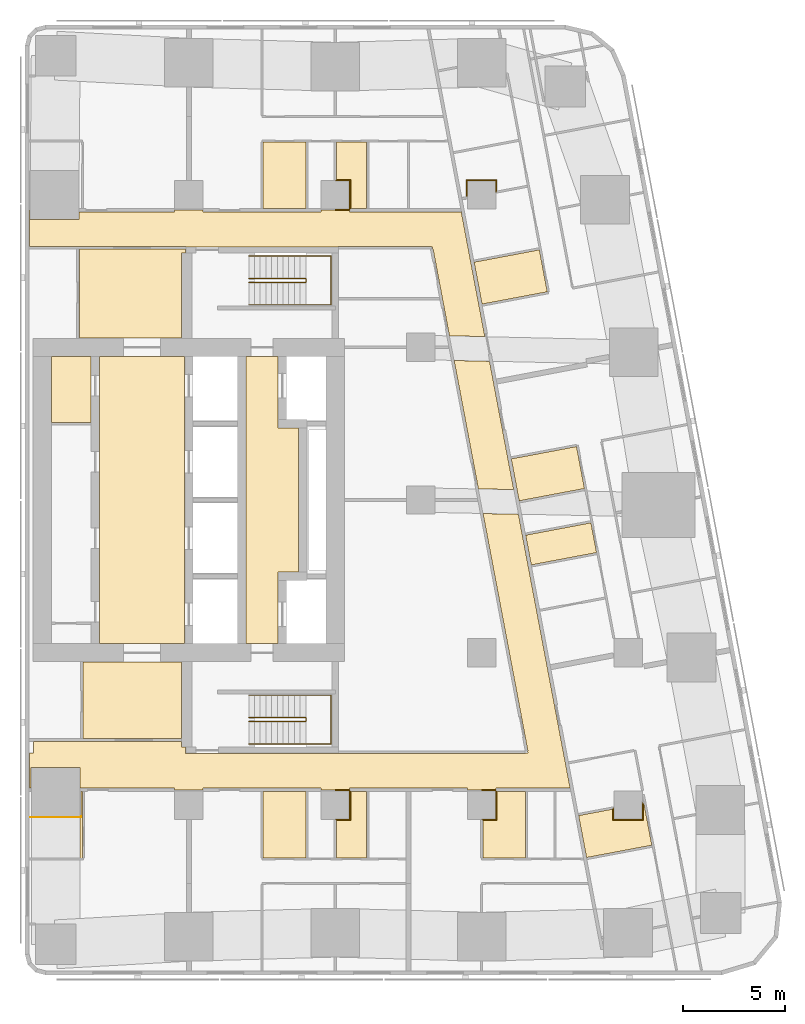
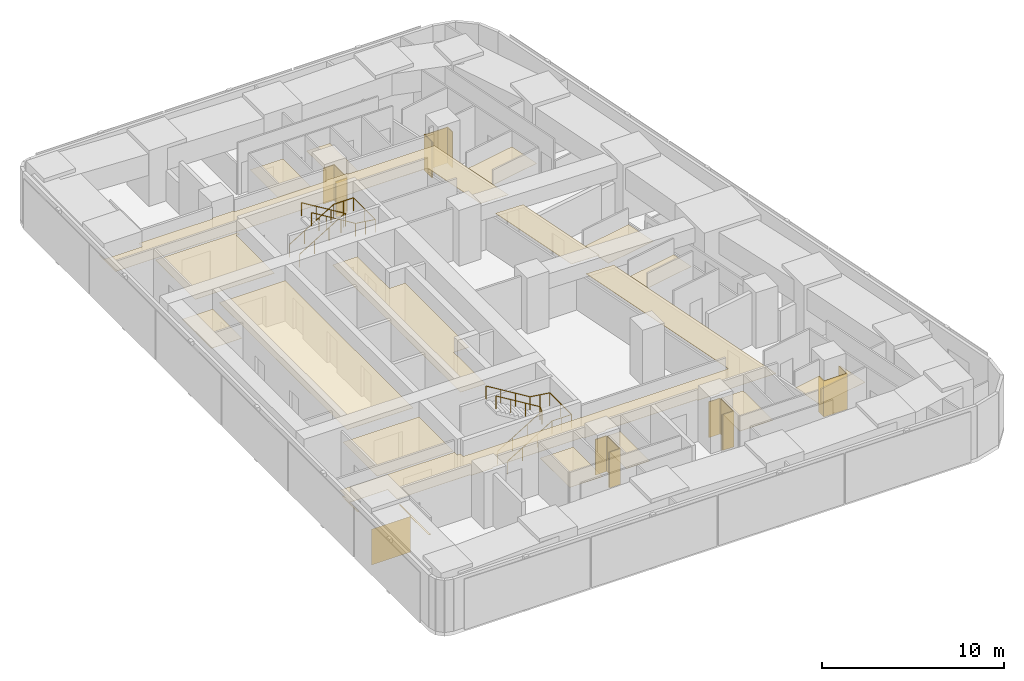
# One storey, part 10 of 10: 24 coverings, 4 railings.
"""IFC4 building model written with IfcOpenShell, lengths in metres."""

from ifc_helpers import new_model, si_unit, direction, frame, origin, origin_2d, place, context, subcontext, project, spatial, polyline, circle, outline, extrude, material, layer, layer_set, type_object, element, save


model = new_model("IFC4")

# Units and contexts
model_context = context("Model", 3, precision=1e-05, world=origin(), true_north=direction((0.0, 1.0)))
body_context = subcontext(model_context, "Body", "Model", "MODEL_VIEW")
ifc_project = project(units=[si_unit("LENGTHUNIT", "METRE"), si_unit("AREAUNIT", "SQUARE_METRE"), si_unit("VOLUMEUNIT", "CUBIC_METRE"), si_unit("PLANEANGLEUNIT", "RADIAN"), si_unit("MASSUNIT", "GRAM", prefix="KILO")], contexts=[model_context])

# Site, building, storey
site_placement = place(None, origin())
site = spatial("IfcSite", under=ifc_project, at=site_placement, CompositionType="ELEMENT")
building_placement = place(site_placement, origin())
building = spatial("IfcBuilding", under=site, at=building_placement, Name="Sheger Commons Tower", CompositionType="ELEMENT")
storey_placement = place(building_placement, frame((0.0, 0.0, 238.699951171875)))
storey = spatial("IfcBuildingStorey", under=building, at=storey_placement, Name="L61", CompositionType="ELEMENT", Elevation=238.699951171875)

# Railings
ifc_material_1 = material(Name="Steel handrail, black powder-coated", Category="steel")
railing_type = type_object("IfcRailingType", Name="HANDRAIL 900", PredefinedType="HANDRAIL", material=ifc_material_1)
railing_1_placement = place(storey_placement, frame((24.550048828125, 11.60009765625, 0.17041015625)))
element("IfcRailing", 1, at=railing_1_placement, inside=storey, type_object=railing_type, Name="Stair S1 handrail L61", PredefinedType="HANDRAIL", context=body_context, shape_type="SweptSolid", body=[
    extrude(circle(Radius=0.02392578125, at=origin_2d()), frame((0.0, 0.0, 0.8759765625), z_axis=(0.854169791009, 0.0, 0.51999420009), x_axis=(0.0, 1.0, 0.0)), (0.0, 0.0, 1.0), 3.278076171875),
    extrude(circle(Radius=0.02392578125, at=origin_2d()), frame((2.800048828125, 0.0, 2.58056640625), z_axis=(0.0, 0.761090297175, 0.648645943136), x_axis=(-1.0, 0.0, 0.0)), (0.0, 0.0, 1.0), 0.2626953125),
    extrude(circle(Radius=0.02392578125, at=origin_2d()), frame((2.800048828125, 0.199951171875, 2.7509765625), z_axis=(-0.854169791009, 0.0, 0.51999420009), x_axis=(0.0, -1.0, 0.0)), (0.0, 0.0, 1.0), 3.278076171875),
    extrude(circle(Radius=0.02099609375, at=origin_2d()), origin(), (0.0, 0.0, 1.0), 0.851806640625),
    extrude(circle(Radius=0.02099609375, at=origin_2d()), frame((0.933349609375, 0.0, 0.568115234375)), (0.0, 0.0, 1.0), 0.851806640625),
    extrude(circle(Radius=0.02099609375, at=origin_2d()), frame((1.86669921875, 0.0, 1.136474609375)), (0.0, 0.0, 1.0), 0.851806640625),
    extrude(circle(Radius=0.02099609375, at=origin_2d()), frame((2.800048828125, 0.0, 1.70458984375)), (0.0, 0.0, 1.0), 0.851806640625),
    extrude(circle(Radius=0.02099609375, at=origin_2d()), frame((2.800048828125, 0.199951171875, 1.875)), (0.0, 0.0, 1.0), 0.851806640625),
    extrude(circle(Radius=0.02099609375, at=origin_2d()), frame((1.86669921875, 0.199951171875, 2.443115234375)), (0.0, 0.0, 1.0), 0.851806640625),
    extrude(circle(Radius=0.02099609375, at=origin_2d()), frame((0.933349609375, 0.199951171875, 3.011474609375)), (0.0, 0.0, 1.0), 0.851806640625),
    extrude(circle(Radius=0.02099609375, at=origin_2d()), frame((0.0, 0.199951171875, 3.57958984375)), (0.0, 0.0, 1.0), 0.851806640625),
])
railing_2_placement = place(storey_placement, frame((24.550048828125, 10.5, 0.17041015625)))
element("IfcRailing", 2, at=railing_2_placement, inside=storey, type_object=railing_type, Name="Stair S1 handrail L61", PredefinedType="HANDRAIL", context=body_context, shape_type="SweptSolid", body=[
    extrude(circle(Radius=0.02392578125, at=origin_2d()), frame((0.0, 0.0, 0.8759765625), z_axis=(0.854169791009, 0.0, 0.51999420009), x_axis=(0.0, 1.0, 0.0)), (0.0, 0.0, 1.0), 3.278076171875),
    extrude(circle(Radius=0.02392578125, at=origin_2d()), frame((2.800048828125, 0.0, 2.58056640625), z_axis=(1.0, 0.0, 0.0), x_axis=(0.0, 1.0, 0.0)), (0.0, 0.0, 1.0), 1.25),
    extrude(circle(Radius=0.02392578125, at=origin_2d()), frame((4.050048828125, 0.0, 2.58056640625), z_axis=(0.0, 1.0, 0.0), x_axis=(-1.0, 0.0, 0.0)), (0.0, 0.0, 1.0), 2.39990234375),
    extrude(circle(Radius=0.02392578125, at=origin_2d()), frame((4.050048828125, 2.39990234375, 2.58056640625), z_axis=(-0.990834877927, 0.0, 0.135078661092), x_axis=(0.0, -1.0, 0.0)), (0.0, 0.0, 1.0), 1.261474609375),
    extrude(circle(Radius=0.02392578125, at=origin_2d()), frame((2.800048828125, 2.39990234375, 2.7509765625), z_axis=(-0.854169791009, 0.0, 0.51999420009), x_axis=(0.0, -1.0, 0.0)), (0.0, 0.0, 1.0), 3.278076171875),
    extrude(circle(Radius=0.02099609375, at=origin_2d()), origin(), (0.0, 0.0, 1.0), 0.851806640625),
    extrude(circle(Radius=0.02099609375, at=origin_2d()), frame((0.933349609375, 0.0, 0.568115234375)), (0.0, 0.0, 1.0), 0.851806640625),
    extrude(circle(Radius=0.02099609375, at=origin_2d()), frame((1.86669921875, 0.0, 1.136474609375)), (0.0, 0.0, 1.0), 0.851806640625),
    extrude(circle(Radius=0.02099609375, at=origin_2d()), frame((2.800048828125, 0.0, 1.70458984375)), (0.0, 0.0, 1.0), 0.851806640625),
    extrude(circle(Radius=0.02099609375, at=origin_2d()), frame((3.425048828125, 0.0, 1.70458984375)), (0.0, 0.0, 1.0), 0.851806640625),
    extrude(circle(Radius=0.02099609375, at=origin_2d()), frame((4.050048828125, 0.0, 1.70458984375)), (0.0, 0.0, 1.0), 0.851806640625),
    extrude(circle(Radius=0.02099609375, at=origin_2d()), frame((4.050048828125, 1.199951171875, 1.70458984375)), (0.0, 0.0, 1.0), 0.851806640625),
    extrude(circle(Radius=0.02099609375, at=origin_2d()), frame((4.050048828125, 2.39990234375, 1.70458984375)), (0.0, 0.0, 1.0), 0.851806640625),
    extrude(circle(Radius=0.02099609375, at=origin_2d()), frame((3.425048828125, 2.39990234375, 1.789794921875)), (0.0, 0.0, 1.0), 0.851806640625),
    extrude(circle(Radius=0.02099609375, at=origin_2d()), frame((2.800048828125, 2.39990234375, 1.875)), (0.0, 0.0, 1.0), 0.851806640625),
    extrude(circle(Radius=0.02099609375, at=origin_2d()), frame((1.86669921875, 2.39990234375, 2.443115234375)), (0.0, 0.0, 1.0), 0.851806640625),
    extrude(circle(Radius=0.02099609375, at=origin_2d()), frame((0.933349609375, 2.39990234375, 3.011474609375)), (0.0, 0.0, 1.0), 0.851806640625),
    extrude(circle(Radius=0.02099609375, at=origin_2d()), frame((0.0, 2.39990234375, 3.57958984375)), (0.0, 0.0, 1.0), 0.851806640625),
])
railing_3_placement = place(storey_placement, frame((24.550048828125, 33.39990234375, 0.17041015625)))
element("IfcRailing", 3, at=railing_3_placement, inside=storey, type_object=railing_type, Name="Stair S2 handrail L61", PredefinedType="HANDRAIL", context=body_context, shape_type="SweptSolid", body=[
    extrude(circle(Radius=0.02392578125, at=origin_2d()), frame((0.0, 0.0, 0.8759765625), z_axis=(0.854169791009, 0.0, 0.51999420009), x_axis=(0.0, 1.0, 0.0)), (0.0, 0.0, 1.0), 3.278076171875),
    extrude(circle(Radius=0.02392578125, at=origin_2d()), frame((2.800048828125, 0.0, 2.58056640625), z_axis=(0.0, -0.761090297175, 0.648645943136), x_axis=(1.0, 0.0, 0.0)), (0.0, 0.0, 1.0), 0.2626953125),
    extrude(circle(Radius=0.02392578125, at=origin_2d()), frame((2.800048828125, -0.199951171875, 2.7509765625), z_axis=(-0.854169791009, 0.0, 0.51999420009), x_axis=(0.0, -1.0, 0.0)), (0.0, 0.0, 1.0), 3.278076171875),
    extrude(circle(Radius=0.02099609375, at=origin_2d()), origin(), (0.0, 0.0, 1.0), 0.851806640625),
    extrude(circle(Radius=0.02099609375, at=origin_2d()), frame((0.933349609375, 0.0, 0.568115234375)), (0.0, 0.0, 1.0), 0.851806640625),
    extrude(circle(Radius=0.02099609375, at=origin_2d()), frame((1.86669921875, 0.0, 1.136474609375)), (0.0, 0.0, 1.0), 0.851806640625),
    extrude(circle(Radius=0.02099609375, at=origin_2d()), frame((2.800048828125, 0.0, 1.70458984375)), (0.0, 0.0, 1.0), 0.851806640625),
    extrude(circle(Radius=0.02099609375, at=origin_2d()), frame((2.800048828125, -0.199951171875, 1.875)), (0.0, 0.0, 1.0), 0.851806640625),
    extrude(circle(Radius=0.02099609375, at=origin_2d()), frame((1.86669921875, -0.199951171875, 2.443115234375)), (0.0, 0.0, 1.0), 0.851806640625),
    extrude(circle(Radius=0.02099609375, at=origin_2d()), frame((0.933349609375, -0.199951171875, 3.011474609375)), (0.0, 0.0, 1.0), 0.851806640625),
    extrude(circle(Radius=0.02099609375, at=origin_2d()), frame((0.0, -0.199951171875, 3.57958984375)), (0.0, 0.0, 1.0), 0.851806640625),
])
railing_4_placement = place(storey_placement, frame((24.550048828125, 34.5, 0.17041015625)))
element("IfcRailing", 4, at=railing_4_placement, inside=storey, type_object=railing_type, Name="Stair S2 handrail L61", PredefinedType="HANDRAIL", context=body_context, shape_type="SweptSolid", body=[
    extrude(circle(Radius=0.02392578125, at=origin_2d()), frame((0.0, 0.0, 0.8759765625), z_axis=(0.854169791009, 0.0, 0.51999420009), x_axis=(0.0, 1.0, 0.0)), (0.0, 0.0, 1.0), 3.278076171875),
    extrude(circle(Radius=0.02392578125, at=origin_2d()), frame((2.800048828125, 0.0, 2.58056640625), z_axis=(1.0, 0.0, 0.0), x_axis=(0.0, 1.0, 0.0)), (0.0, 0.0, 1.0), 1.25),
    extrude(circle(Radius=0.02392578125, at=origin_2d()), frame((4.050048828125, 0.0, 2.58056640625), z_axis=(0.0, -1.0, 0.0), x_axis=(1.0, 0.0, 0.0)), (0.0, 0.0, 1.0), 2.39990234375),
    extrude(circle(Radius=0.02392578125, at=origin_2d()), frame((4.050048828125, -2.39990234375, 2.58056640625), z_axis=(-0.990834877927, 0.0, 0.135078661092), x_axis=(0.0, -1.0, 0.0)), (0.0, 0.0, 1.0), 1.261474609375),
    extrude(circle(Radius=0.02392578125, at=origin_2d()), frame((2.800048828125, -2.39990234375, 2.7509765625), z_axis=(-0.854169791009, 0.0, 0.51999420009), x_axis=(0.0, -1.0, 0.0)), (0.0, 0.0, 1.0), 3.278076171875),
    extrude(circle(Radius=0.02099609375, at=origin_2d()), origin(), (0.0, 0.0, 1.0), 0.851806640625),
    extrude(circle(Radius=0.02099609375, at=origin_2d()), frame((0.933349609375, 0.0, 0.568115234375)), (0.0, 0.0, 1.0), 0.851806640625),
    extrude(circle(Radius=0.02099609375, at=origin_2d()), frame((1.86669921875, 0.0, 1.136474609375)), (0.0, 0.0, 1.0), 0.851806640625),
    extrude(circle(Radius=0.02099609375, at=origin_2d()), frame((2.800048828125, 0.0, 1.70458984375)), (0.0, 0.0, 1.0), 0.851806640625),
    extrude(circle(Radius=0.02099609375, at=origin_2d()), frame((3.425048828125, 0.0, 1.70458984375)), (0.0, 0.0, 1.0), 0.851806640625),
    extrude(circle(Radius=0.02099609375, at=origin_2d()), frame((4.050048828125, 0.0, 1.70458984375)), (0.0, 0.0, 1.0), 0.851806640625),
    extrude(circle(Radius=0.02099609375, at=origin_2d()), frame((4.050048828125, -1.199951171875, 1.70458984375)), (0.0, 0.0, 1.0), 0.851806640625),
    extrude(circle(Radius=0.02099609375, at=origin_2d()), frame((4.050048828125, -2.39990234375, 1.70458984375)), (0.0, 0.0, 1.0), 0.851806640625),
    extrude(circle(Radius=0.02099609375, at=origin_2d()), frame((3.425048828125, -2.39990234375, 1.789794921875)), (0.0, 0.0, 1.0), 0.851806640625),
    extrude(circle(Radius=0.02099609375, at=origin_2d()), frame((2.800048828125, -2.39990234375, 1.875)), (0.0, 0.0, 1.0), 0.851806640625),
    extrude(circle(Radius=0.02099609375, at=origin_2d()), frame((1.86669921875, -2.39990234375, 2.443115234375)), (0.0, 0.0, 1.0), 0.851806640625),
    extrude(circle(Radius=0.02099609375, at=origin_2d()), frame((0.933349609375, -2.39990234375, 3.011474609375)), (0.0, 0.0, 1.0), 0.851806640625),
    extrude(circle(Radius=0.02099609375, at=origin_2d()), frame((0.0, -2.39990234375, 3.57958984375)), (0.0, 0.0, 1.0), 0.851806640625),
])

# Coverings
ifc_material_2 = material(Name="Moisture-resistant gypsum plasterboard 15 mm on a suspended galvanised steel grid", Category="steel")
ifc_layer_1 = layer(ifc_material_2, 0.014892578125)
ifc_layer_set_1 = layer_set([ifc_layer_1], Name="MOISTURE-RESISTANT CEILING 15")
covering_type_1 = type_object("IfcCoveringType", Name="MOISTURE-RESISTANT CEILING 15", PredefinedType="CEILING", material=ifc_layer_set_1)
covering_1_placement = place(storey_placement, frame((0.0, 0.0, 2.400146484375)))
element("IfcCovering", 5, at=covering_1_placement, inside=storey, type_object=covering_type_1, Name="L61-01.B1 ceiling", PredefinedType="CEILING", context=body_context, shape_type="SweptSolid", body=[
    extrude(outline(polyline([(16.259033203125, 4.85009765625), (16.428955078125, 4.85009765625), (16.428955078125, 4.89501953125), (16.3740234375, 4.89501953125), (16.3740234375, 8.169921875), (16.303955078125, 8.169921875), (16.303955078125, 6.9541015625), (16.2958984375, 6.926025390625), (16.27294921875, 6.907958984375), (16.259033203125, 6.907958984375), (16.259033203125, 4.85009765625)])), origin(), (0.0, 0.0, 1.0), 0.014892578125),
])
covering_2_placement = place(storey_placement, frame((0.0, 0.0, 2.400146484375)))
element("IfcCovering", 6, at=covering_2_placement, inside=storey, type_object=covering_type_1, Name="L61-02.B1 ceiling", PredefinedType="CEILING", context=body_context, shape_type="SweptSolid", body=[
    extrude(outline(polyline([(25.2548828125, 4.905029296875), (27.35498046875, 4.905029296875), (27.35498046875, 8.169921875), (25.2548828125, 8.169921875), (25.2548828125, 4.905029296875)])), origin(), (0.0, 0.0, 1.0), 0.014892578125),
])
covering_3_placement = place(storey_placement, frame((0.0, 0.0, 2.400146484375)))
element("IfcCovering", 7, at=covering_3_placement, inside=storey, type_object=covering_type_1, Name="L61-02.B2 ceiling", PredefinedType="CEILING", context=body_context, shape_type="SweptSolid", body=[
    extrude(outline(polyline([(28.85498046875, 4.905029296875), (30.344970703125, 4.905029296875), (30.344970703125, 8.169921875), (29.5048828125, 8.169921875), (29.5048828125, 6.794921875), (28.85498046875, 6.794921875), (28.85498046875, 4.905029296875)])), origin(), (0.0, 0.0, 1.0), 0.014892578125),
])
covering_4_placement = place(storey_placement, frame((0.0, 0.0, 2.400146484375)))
element("IfcCovering", 8, at=covering_4_placement, inside=storey, type_object=covering_type_1, Name="L61-03.B1 ceiling", PredefinedType="CEILING", context=body_context, shape_type="SweptSolid", body=[
    extrude(outline(polyline([(36.054931640625, 4.905029296875), (38.155029296875, 4.905029296875), (38.155029296875, 8.169921875), (36.705078125, 8.169921875), (36.705078125, 6.794921875), (36.054931640625, 6.794921875), (36.054931640625, 4.905029296875)])), origin(), (0.0, 0.0, 1.0), 0.014892578125),
])
covering_5_placement = place(storey_placement, frame((0.0, 0.0, 2.400146484375)))
element("IfcCovering", 9, at=covering_5_placement, inside=storey, type_object=covering_type_1, Name="L61-04.B1 ceiling", PredefinedType="CEILING", context=body_context, shape_type="SweptSolid", body=[
    extrude(outline(polyline([(36.01708984375, 32.1298828125), (39.22412109375, 32.736083984375), (38.833984375, 34.800048828125), (35.626953125, 34.194091796875), (36.01708984375, 32.1298828125)])), origin(), (0.0, 0.0, 1.0), 0.014892578125),
])
covering_6_placement = place(storey_placement, frame((0.0, 0.0, 2.400146484375)))
element("IfcCovering", 10, at=covering_6_placement, inside=storey, type_object=covering_type_1, Name="L61-05.B1 ceiling", PredefinedType="CEILING", context=body_context, shape_type="SweptSolid", body=[
    extrude(outline(polyline([(37.843017578125, 22.4580078125), (41.052001953125, 23.06396484375), (40.662109375, 25.1279296875), (37.4541015625, 24.52197265625), (37.843017578125, 22.4580078125)])), origin(), (0.0, 0.0, 1.0), 0.014892578125),
])
covering_7_placement = place(storey_placement, frame((0.0, 0.0, 2.400146484375)))
element("IfcCovering", 11, at=covering_7_placement, inside=storey, type_object=covering_type_1, Name="L61-05.B2 ceiling", PredefinedType="CEILING", context=body_context, shape_type="SweptSolid", body=[
    extrude(outline(polyline([(38.43798828125, 19.30810546875), (41.64697265625, 19.9140625), (41.37109375, 21.3779296875), (38.162109375, 20.77197265625), (38.43798828125, 19.30810546875)])), origin(), (0.0, 0.0, 1.0), 0.014892578125),
])
covering_8_placement = place(storey_placement, frame((0.0, 0.0, 2.400146484375)))
element("IfcCovering", 12, at=covering_8_placement, inside=storey, type_object=covering_type_1, Name="L61-06.B1 ceiling", PredefinedType="CEILING", context=body_context, shape_type="SweptSolid", body=[
    extrude(outline(polyline([(41.156005859375, 4.9208984375), (44.364013671875, 5.527099609375), (43.97412109375, 7.591064453125), (43.9150390625, 7.580078125), (43.906982421875, 7.623046875), (43.905029296875, 7.623046875), (43.905029296875, 6.794921875), (42.4951171875, 6.794921875), (42.4951171875, 7.31201171875), (40.76611328125, 6.985107421875), (41.156005859375, 4.9208984375)])), origin(), (0.0, 0.0, 1.0), 0.014892578125),
])
covering_9_placement = place(storey_placement, frame((0.0, 0.0, 2.400146484375)))
element("IfcCovering", 13, at=covering_9_placement, inside=storey, type_object=covering_type_1, Name="L61-08.B1 ceiling", PredefinedType="CEILING", context=body_context, shape_type="SweptSolid", body=[
    extrude(outline(polyline([(25.2548828125, 36.830078125), (27.35498046875, 36.830078125), (27.35498046875, 40.094970703125), (25.2548828125, 40.094970703125), (25.2548828125, 36.830078125)])), origin(), (0.0, 0.0, 1.0), 0.014892578125),
])
covering_10_placement = place(storey_placement, frame((0.0, 0.0, 2.400146484375)))
element("IfcCovering", 14, at=covering_10_placement, inside=storey, type_object=covering_type_1, Name="L61-08.B2 ceiling", PredefinedType="CEILING", context=body_context, shape_type="SweptSolid", body=[
    extrude(outline(polyline([(29.5048828125, 36.830078125), (30.344970703125, 36.830078125), (30.344970703125, 40.094970703125), (28.85498046875, 40.094970703125), (28.85498046875, 38.205078125), (29.5048828125, 38.205078125), (29.5048828125, 36.830078125)])), origin(), (0.0, 0.0, 1.0), 0.014892578125),
])
covering_11_placement = place(storey_placement, frame((0.0, 0.0, 2.400146484375)))
element("IfcCovering", 15, at=covering_11_placement, inside=storey, type_object=covering_type_1, Name="L61-CRB2 ceiling", PredefinedType="CEILING", context=body_context, shape_type="SweptSolid", body=[
    extrude(outline(polyline([(14.85498046875, 26.31689453125), (16.794921875, 26.31689453125), (16.794921875, 29.544921875), (14.85498046875, 29.544921875), (14.85498046875, 26.31689453125)])), origin(), (0.0, 0.0, 1.0), 0.014892578125),
])
ifc_material_3 = material(Name="Gypsum plasterboard 15 mm on a suspended steel grid", Category="steel")
ifc_layer_2 = layer(ifc_material_3, 0.014892578125)
ifc_layer_set_2 = layer_set([ifc_layer_2], Name="SUSPENDED CEILING 15")
covering_type_2 = type_object("IfcCoveringType", Name="SUSPENDED CEILING 15", PredefinedType="CEILING", material=ifc_layer_set_2)
covering_12_placement = place(storey_placement, frame((0.0, 0.0, 2.699951171875)))
element("IfcCovering", 16, at=covering_12_placement, inside=storey, type_object=covering_type_2, Name="L61-CO ceiling", PredefinedType="CEILING", context=body_context, shape_type="SweptSolid", body=[
    extrude(outline(polyline([(20.904052734375, 8.25), (22.2958984375, 8.25), (22.2958984375, 8.330078125), (28.10400390625, 8.330078125), (28.10400390625, 8.25), (29.49609375, 8.25), (29.49609375, 8.330078125), (35.303955078125, 8.330078125), (35.303955078125, 8.25), (36.696044921875, 8.25), (36.696044921875, 8.330078125), (40.34912109375, 8.330078125), (37.804931640625, 21.798095703125), (36.06591796875, 21.8330078125), (38.26904296875, 10.1708984375), (38.251953125, 10.1669921875), (38.27392578125, 10.050048828125), (38.14306640625, 10.050048828125), (38.14306640625, 10.031982421875), (28.945068359375, 10.031982421875), (28.945068359375, 10.044921875), (21.445068359375, 10.044921875), (21.445068359375, 10.344970703125), (21.2451171875, 10.344970703125), (21.2451171875, 10.632080078125), (13.9599609375, 10.632080078125), (13.9599609375, 10.050048828125), (13.7548828125, 10.050048828125), (13.7548828125, 8.330078125), (13.84912109375, 8.330078125), (13.84912109375, 9.35888671875), (16.259033203125, 9.35888671875), (16.259033203125, 8.330078125), (20.904052734375, 8.330078125), (20.904052734375, 8.25)])), origin(), (0.0, 0.0, 1.0), 0.01513671875),
])
covering_13_placement = place(storey_placement, frame((0.0, 0.0, 2.699951171875)))
element("IfcCovering", 17, at=covering_13_placement, inside=storey, type_object=covering_type_2, Name="L61-CO ceiling", PredefinedType="CEILING", context=body_context, shape_type="SweptSolid", body=[
    extrude(outline(polyline([(37.575927734375, 23.011962890625), (36.385009765625, 29.318115234375), (34.64501953125, 29.35791015625), (35.8369140625, 23.048095703125), (37.575927734375, 23.011962890625)])), origin(), (0.0, 0.0, 1.0), 0.01513671875),
])
covering_14_placement = place(storey_placement, frame((0.0, 0.0, 2.699951171875)))
element("IfcCovering", 18, at=covering_14_placement, inside=storey, type_object=covering_type_2, Name="L61-CO ceiling", PredefinedType="CEILING", context=body_context, shape_type="SweptSolid", body=[
    extrude(outline(polyline([(36.155029296875, 30.533935546875), (34.98095703125, 36.75), (34.97705078125, 36.75), (34.97705078125, 36.669921875), (29.49609375, 36.669921875), (29.49609375, 36.75), (28.10400390625, 36.75), (28.10400390625, 36.669921875), (22.2958984375, 36.669921875), (22.2958984375, 36.75), (20.904052734375, 36.75), (20.904052734375, 36.669921875), (16.205078125, 36.669921875), (16.205078125, 36.294921875), (13.794921875, 36.294921875), (13.794921875, 36.75), (13.7548828125, 36.75), (13.7548828125, 34.968017578125), (21.455078125, 34.968017578125), (21.455078125, 34.949951171875), (28.945068359375, 34.949951171875), (28.945068359375, 34.968017578125), (33.54296875, 34.968017578125), (33.54296875, 34.949951171875), (33.571044921875, 34.949951171875), (33.589111328125, 34.85205078125), (33.60595703125, 34.85498046875), (34.4150390625, 30.572998046875), (36.155029296875, 30.533935546875)])), origin(), (0.0, 0.0, 1.0), 0.01513671875),
])
covering_15_placement = place(storey_placement, frame((0.0, 0.0, 2.699951171875)))
element("IfcCovering", 19, at=covering_15_placement, inside=storey, type_object=covering_type_2, Name="L61-SVS1 ceiling", PredefinedType="CEILING", context=body_context, shape_type="SweptSolid", body=[
    extrude(outline(polyline([(16.406982421875, 10.76806640625), (21.2451171875, 10.76806640625), (21.2451171875, 14.544921875), (16.406982421875, 14.544921875), (16.406982421875, 10.76806640625)])), origin(), (0.0, 0.0, 1.0), 0.01513671875),
])
covering_16_placement = place(storey_placement, frame((0.0, 0.0, 2.699951171875)))
element("IfcCovering", 20, at=covering_16_placement, inside=storey, type_object=covering_type_2, Name="L61-SVN1 ceiling", PredefinedType="CEILING", context=body_context, shape_type="SweptSolid", body=[
    extrude(outline(polyline([(16.217041015625, 30.455078125), (21.2451171875, 30.455078125), (21.2451171875, 34.655029296875), (21.445068359375, 34.655029296875), (21.445068359375, 34.83203125), (16.217041015625, 34.83203125), (16.217041015625, 30.455078125)])), origin(), (0.0, 0.0, 1.0), 0.01513671875),
])
covering_17_placement = place(storey_placement, frame((0.0, 0.0, 2.699951171875)))
element("IfcCovering", 21, at=covering_17_placement, inside=storey, type_object=covering_type_2, Name="L61-LL ceiling", PredefinedType="CEILING", context=body_context, shape_type="SweptSolid", body=[
    extrude(outline(polyline([(17.205078125, 15.455078125), (21.39990234375, 15.455078125), (21.39990234375, 29.544921875), (17.205078125, 29.544921875), (17.205078125, 15.455078125)])), origin(), (0.0, 0.0, 1.0), 0.01513671875),
])
covering_18_placement = place(storey_placement, frame((0.0, 0.0, 2.699951171875)))
element("IfcCovering", 22, at=covering_18_placement, inside=storey, type_object=covering_type_2, Name="L61-FL ceiling", PredefinedType="CEILING", context=body_context, shape_type="SweptSolid", body=[
    extrude(outline(polyline([(24.405029296875, 15.455078125), (25.9951171875, 15.455078125), (25.9951171875, 18.955078125), (26.9951171875, 18.955078125), (26.9951171875, 26.044921875), (25.9951171875, 26.044921875), (25.9951171875, 29.544921875), (24.405029296875, 29.544921875), (24.405029296875, 15.455078125)])), origin(), (0.0, 0.0, 1.0), 0.01513671875),
])
ifc_material_4 = material(Name="Moisture-resistant gypsum board 12.5 mm on 25 mm treated timber battens, tanked and tiled", Category="wood")
ifc_layer_3 = layer(ifc_material_4, 0.050048828125)
ifc_layer_set_3 = layer_set([ifc_layer_3], Name="WET-ROOM COLUMN LINING")
covering_type_3 = type_object("IfcCoveringType", Name="WET-ROOM COLUMN LINING", PredefinedType="CLADDING", material=ifc_layer_set_3)
covering_19_placement = place(storey_placement, origin())
element("IfcCovering", 23, at=covering_19_placement, inside=storey, type_object=covering_type_3, Name="Shower room column lining C5 L61", PredefinedType="CLADDING", context=body_context, shape_type="SweptSolid", body=[
    extrude(outline(polyline([(16.27294921875, 6.907958984375), (16.2958984375, 6.926025390625), (16.303955078125, 6.9541015625), (16.303955078125, 8.175048828125), (16.303955078125, 6.904052734375), (13.803955078125, 6.904052734375), (16.27294921875, 6.907958984375)])), origin(), (0.0, 0.0, 1.0), 2.400146484375),
])
covering_20_placement = place(storey_placement, origin())
element("IfcCovering", 24, at=covering_20_placement, inside=storey, type_object=covering_type_3, Name="Shower room column lining C11 L61", PredefinedType="CLADDING", context=body_context, shape_type="SweptSolid", body=[
    extrude(outline(polyline([(29.550048828125, 6.75), (28.85009765625, 6.75), (28.85009765625, 6.799072265625), (28.800048828125, 6.799072265625), (28.800048828125, 6.800048828125), (29.5, 6.800048828125), (29.5, 8.199951171875), (28.800048828125, 8.199951171875), (28.800048828125, 8.25), (29.5009765625, 8.25), (29.5009765625, 8.175048828125), (29.550048828125, 8.175048828125), (29.550048828125, 6.75)])), origin(), (0.0, 0.0, 1.0), 2.400146484375),
])
covering_21_placement = place(storey_placement, origin())
element("IfcCovering", 25, at=covering_21_placement, inside=storey, type_object=covering_type_3, Name="Bathroom column lining C11 L61", PredefinedType="CLADDING", context=body_context, shape_type="SweptSolid", body=[
    extrude(outline(polyline([(36.75, 6.75), (36.050048828125, 6.75), (36.050048828125, 6.799072265625), (36.0, 6.799072265625), (36.0, 6.800048828125), (36.699951171875, 6.800048828125), (36.699951171875, 8.199951171875), (36.0, 8.199951171875), (36.0, 8.25), (36.700927734375, 8.25), (36.700927734375, 8.175048828125), (36.75, 8.175048828125), (36.75, 6.75)])), origin(), (0.0, 0.0, 1.0), 2.400146484375),
])
covering_22_placement = place(storey_placement, origin())
element("IfcCovering", 26, at=covering_22_placement, inside=storey, type_object=covering_type_3, Name="Bathroom column lining C11 L61", PredefinedType="CLADDING", context=body_context, shape_type="SweptSolid", body=[
    extrude(outline(polyline([(42.5, 7.367919921875), (42.5, 6.800048828125), (43.89990234375, 6.800048828125), (43.89990234375, 7.633056640625), (43.909912109375, 7.635009765625), (43.9189453125, 7.5859375), (43.949951171875, 7.592041015625), (43.949951171875, 6.75), (42.449951171875, 6.75), (42.449951171875, 7.30908203125), (42.4990234375, 7.318115234375), (42.489990234375, 7.365966796875), (42.5, 7.367919921875)])), origin(), (0.0, 0.0, 1.0), 2.400146484375),
])
covering_23_placement = place(storey_placement, origin())
element("IfcCovering", 27, at=covering_23_placement, inside=storey, type_object=covering_type_3, Name="Shower room column lining C11 L61", PredefinedType="CLADDING", context=body_context, shape_type="SweptSolid", body=[
    extrude(outline(polyline([(29.550048828125, 36.824951171875), (29.5009765625, 36.824951171875), (29.5009765625, 36.75), (28.800048828125, 36.75), (28.800048828125, 36.800048828125), (29.5, 36.800048828125), (29.5, 38.199951171875), (28.800048828125, 38.199951171875), (28.800048828125, 38.200927734375), (28.85009765625, 38.200927734375), (28.85009765625, 38.25), (29.550048828125, 38.25), (29.550048828125, 36.824951171875)])), origin(), (0.0, 0.0, 1.0), 2.400146484375),
])
covering_24_placement = place(storey_placement, origin())
element("IfcCovering", 28, at=covering_24_placement, inside=storey, type_object=covering_type_3, Name="Laundry room column lining C11 L61", PredefinedType="CLADDING", context=body_context, shape_type="SweptSolid", body=[
    extrude(outline(polyline([(36.75, 38.25), (36.75, 37.69189453125), (36.700927734375, 37.68310546875), (36.7099609375, 37.635009765625), (36.699951171875, 37.633056640625), (36.699951171875, 38.199951171875), (35.300048828125, 38.199951171875), (35.300048828125, 37.367919921875), (35.2900390625, 37.365966796875), (35.281005859375, 37.4150390625), (35.25, 37.408935546875), (35.25, 38.25), (36.75, 38.25)])), origin(), (0.0, 0.0, 1.0), 2.400146484375),
])

save(model, "model.ifc")
